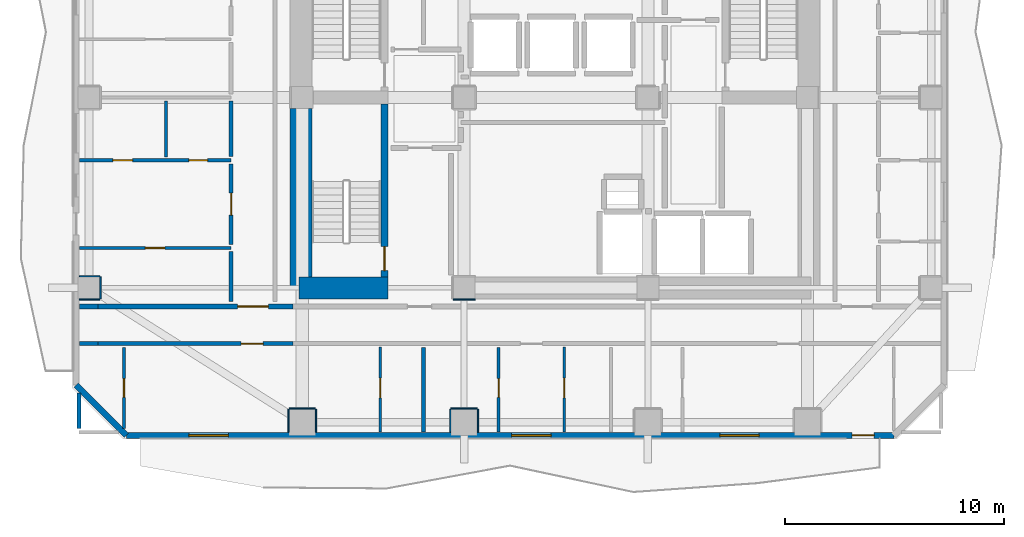
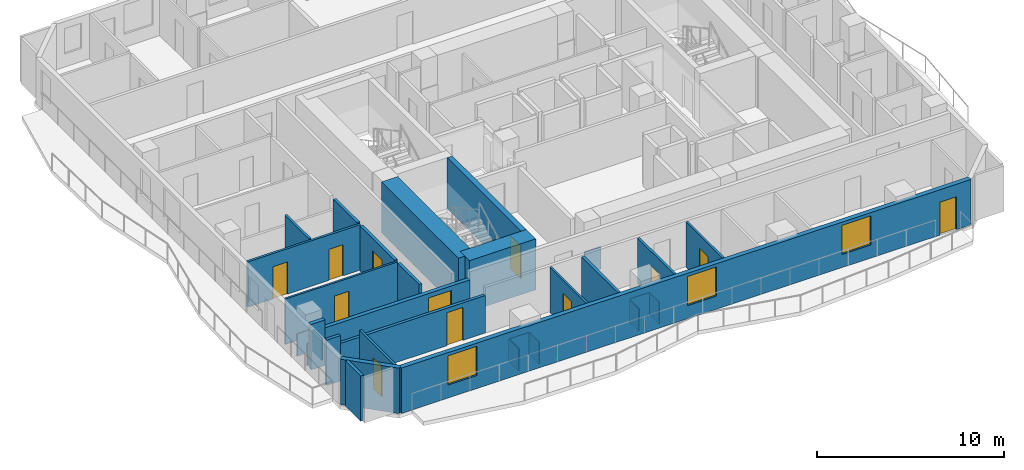
# One storey, part 2 of 11: 31 walls, 12 doors, 3 windows, 15 openings.
"""IFC4 building model written with IfcOpenShell, lengths in metres."""

from ifc_helpers import new_model, si_unit, direction, frame, frame_2d, origin, place, context, subcontext, project, spatial, rectangle, extrude, material, layer, layer_set, type_object, element, fill, save


model = new_model("IFC4")

# Units and contexts
model_context = context("Model", 3, precision=1e-05, world=origin(), true_north=direction((0.0, 1.0)))
body_context = subcontext(model_context, "Body", "Model", "MODEL_VIEW")
ifc_project = project(units=[si_unit("LENGTHUNIT", "METRE"), si_unit("AREAUNIT", "SQUARE_METRE"), si_unit("VOLUMEUNIT", "CUBIC_METRE"), si_unit("PLANEANGLEUNIT", "RADIAN"), si_unit("MASSUNIT", "GRAM", prefix="KILO")], contexts=[model_context])

# Site, building, storey
site_placement = place(None, origin())
site = spatial("IfcSite", under=ifc_project, at=site_placement, CompositionType="ELEMENT")
building_placement = place(site_placement, origin())
building = spatial("IfcBuilding", under=site, at=building_placement, Name="Solanera Arch Residences", CompositionType="ELEMENT")
storey_placement = place(building_placement, frame((0.0, 0.0, 169.159912109375)))
storey = spatial("IfcBuildingStorey", under=building, at=storey_placement, Name="L49", CompositionType="ELEMENT", Elevation=169.159912109375)

# Walls
ifc_material_1 = material(Name="Fire-Rated Gypsum Stud Partition", Category="gypsum")
ifc_layer_1 = layer(ifc_material_1, 0.06005859375)
ifc_layer_set_1 = layer_set([ifc_layer_1], Name="Fire-Rated Gypsum Stud Partition")
wall_type_1 = type_object("IfcWallType", Name="Column Acoustic Furring Wall 60", PredefinedType="PARTITIONING", material=ifc_layer_set_1)
wall_1_placement = place(storey_placement, frame((20.300048828125, 21.468017578125, 0.0), z_axis=(0.0, 0.0, 1.0), x_axis=(1.0, 0.0, 0.0)))
element("IfcWall", 1, at=wall_1_placement, inside=storey, type_object=wall_type_1, Name="L49 Column Furring 1S", PredefinedType="PARTITIONING", context=body_context, shape_type="SweptSolid", body=[
    extrude(rectangle(XDim=1.0, YDim=0.06005859375, at=frame_2d((0.5, 0.0))), origin(), (0.0, 0.0, 1.0), 1.4501953125),
])
wall_2_placement = place(storey_placement, frame((12.800048828125, 16.48193359375, 0.0), z_axis=(0.0, 0.0, 1.0), x_axis=(1.0, 0.0, 0.0)))
element("IfcWall", 2, at=wall_2_placement, inside=storey, type_object=wall_type_1, Name="L49 Column Furring 9N", PredefinedType="PARTITIONING", context=body_context, shape_type="SweptSolid", body=[
    extrude(rectangle(XDim=1.199951171875, YDim=0.06005859375, at=frame_2d((0.60009765625, 0.0))), origin(), (0.0, 0.0, 1.0), 1.4501953125),
])
for number, where, z_axis, x_axis, name in (
    (3, (12.76806640625, 15.409912109375, 0.0), (0.0, 0.0, 1.0), (0.0, 1.0, 0.0), "L49 Column Furring 9W"),
    (4, (14.031982421875, 15.409912109375, 0.0), (0.0, 0.0, 1.0), (0.0, 1.0, 0.0), "L49 Column Furring 9E"),
):
    element("IfcWall", number, at=place(storey_placement, frame(where, z_axis=z_axis, x_axis=x_axis)), inside=storey, type_object=wall_type_1, Name=name, PredefinedType="PARTITIONING", context=body_context, shape_type="SweptSolid", body=[
        extrude(rectangle(XDim=1.0400390625, YDim=0.06005859375, at=frame_2d((0.52001953125, 0.0))), origin(), (0.0, 0.0, 1.0), 1.4501953125),
    ])
wall_3_placement = place(storey_placement, frame((20.199951171875, 16.48193359375, 0.0), z_axis=(0.0, 0.0, 1.0), x_axis=(1.0, 0.0, 0.0)))
element("IfcWall", 5, at=wall_3_placement, inside=storey, type_object=wall_type_1, Name="L49 Column Furring 11N", PredefinedType="PARTITIONING", context=body_context, shape_type="SweptSolid", body=[
    extrude(rectangle(XDim=1.199951171875, YDim=0.06005859375, at=frame_2d((0.60009765625, 0.0))), origin(), (0.0, 0.0, 1.0), 1.4501953125),
])
for number, where, z_axis, x_axis, name in (
    (6, (20.16796875, 15.409912109375, 0.0), (0.0, 0.0, 1.0), (0.0, 1.0, 0.0), "L49 Column Furring 11W"),
    (7, (21.431884765625, 15.409912109375, 0.0), (0.0, 0.0, 1.0), (0.0, 1.0, 0.0), "L49 Column Furring 11E"),
):
    element("IfcWall", number, at=place(storey_placement, frame(where, z_axis=z_axis, x_axis=x_axis)), inside=storey, type_object=wall_type_1, Name=name, PredefinedType="PARTITIONING", context=body_context, shape_type="SweptSolid", body=[
        extrude(rectangle(XDim=1.0400390625, YDim=0.06005859375, at=frame_2d((0.52001953125, 0.0))), origin(), (0.0, 0.0, 1.0), 1.4501953125),
    ])
for number, where, z_axis, x_axis, name in (
    (8, (3.2099609375, 21.468017578125, 0.0), (0.0, 0.0, 1.0), (1.0, 0.0, 0.0), "L49 Column Furring 17S"),
    (9, (3.2099609375, 22.531982421875, 0.0), (0.0, 0.0, 1.0), (1.0, 0.0, 0.0), "L49 Column Furring 17N"),
):
    element("IfcWall", number, at=place(storey_placement, frame(where, z_axis=z_axis, x_axis=x_axis)), inside=storey, type_object=wall_type_1, Name=name, PredefinedType="PARTITIONING", context=body_context, shape_type="SweptSolid", body=[
        extrude(rectangle(XDim=0.93994140625, YDim=0.06005859375, at=frame_2d((0.469970703125, 0.0))), origin(), (0.0, 0.0, 1.0), 1.4501953125),
    ])
wall_4_placement = place(storey_placement, frame((4.181884765625, 21.5, 0.0), z_axis=(0.0, 0.0, 1.0), x_axis=(0.0, 1.0, 0.0)))
element("IfcWall", 10, at=wall_4_placement, inside=storey, type_object=wall_type_1, Name="L49 Column Furring 17E", PredefinedType="PARTITIONING", context=body_context, shape_type="SweptSolid", body=[
    extrude(rectangle(XDim=1.0, YDim=0.06005859375, at=frame_2d((0.5, 0.0))), origin(), (0.0, 0.0, 1.0), 1.4501953125),
])
ifc_material_2 = material(Name="Concrete C55/67 (f'c = 60 MPa)", Category="concrete")
ifc_layer_2 = layer(ifc_material_2, 1.0)
ifc_layer_set_2 = layer_set([ifc_layer_2], Name="Concrete C55/67 (f'c = 60 MPa)")
wall_type_2 = type_object("IfcWallType", Name="Core Shear Wall CW-1000", PredefinedType="SHEAR", material=ifc_layer_set_2)
wall_5_placement = place(storey_placement, frame((13.340087890625, 22.0, 0.0), z_axis=(0.0, 0.0, 1.0), x_axis=(0.0, 1.0, 0.0)))
element("IfcWall", 11, at=wall_5_placement, inside=storey, type_object=wall_type_2, Name="L49 West Core South Shear Wall", PredefinedType="SHEAR", context=body_context, shape_type="SweptSolid", body=[
    extrude(rectangle(XDim=8.195068359375, YDim=1.0, at=frame_2d((4.09765625, 0.0))), origin(), (0.0, 0.0, 1.0), 3.320068359375),
])
wall_6_placement = place(storey_placement, frame((13.239990234375, 22.0, 0.0), z_axis=(0.0, 0.0, 1.0), x_axis=(1.0, 0.0, 0.0)))
element("IfcWall", 12, at=wall_6_placement, inside=storey, type_object=wall_type_2, Name="L49 South-West Core Shear Wall", PredefinedType="SHEAR", context=body_context, shape_type="SweptSolid", body=[
    extrude(rectangle(XDim=4.080078125, YDim=1.0, at=frame_2d((2.0400390625, 0.0))), origin(), (0.0, 0.0, 1.0), 3.320068359375),
])

# Wall, opening, door
ifc_material_3 = material(Name="Concrete C40/50 (f'c = 45 MPa)", Category="concrete")
ifc_layer_3 = layer(ifc_material_3, 0.320068359375)
ifc_layer_set_3 = layer_set([ifc_layer_3], Name="Concrete C40/50 (f'c = 45 MPa)")
wall_type_3 = type_object("IfcWallType", Name="Core Shear Wall CW-320", PredefinedType="SHEAR", material=ifc_layer_set_3)
wall_7_placement = place(storey_placement, frame((17.159912109375, 22.5, 0.0), z_axis=(0.0, 0.0, 1.0), x_axis=(0.0, 1.0, 0.0)))
wall_7 = element("IfcWall", 13, at=wall_7_placement, inside=storey, type_object=wall_type_3, Name="L49 Stair ST-T3 East Shear Wall", PredefinedType="SHEAR", context=body_context, shape_type="SweptSolid", body=[
    extrude(rectangle(XDim=7.89990234375, YDim=0.320068359375, at=frame_2d((3.949951171875, 0.0))), origin(), (0.0, 0.0, 1.0), 3.320068359375),
])
opening_1_placement = place(wall_7_placement, frame((0.2900390625, 0.0, 0.0)))
opening_1 = element("IfcOpeningElement", 14, at=opening_1_placement, cuts=wall_7, Name="Opening DF-01", PredefinedType="OPENING", context=body_context, shape_type="SweptSolid", body=[
    extrude(rectangle(XDim=1.10009765625, YDim=2.14990234375, at=frame_2d((0.550048828125, 1.074951171875))), frame((0.0, 0.169921875, 0.0), z_axis=(0.0, -1.0, 0.0), x_axis=(1.0, 0.0, 0.0)), (0.0, 0.0, 1.0), 0.3401),
])
ifc_material_4 = material(Name="Fire-Rated Architectural Hardwood", Category="wood")
door_type_1 = type_object("IfcDoorType", Name="Stair Exit Fire Door DF-01", OperationType="NOTDEFINED", PredefinedType="DOOR", material=ifc_material_4)
door_1_placement = place(opening_1_placement, origin())
door_1 = element("IfcDoor", 15, at=door_1_placement, inside=storey, type_object=door_type_1, Name="DR-L49-STAIR-ST-T3", OperationType="SINGLE_SWING_LEFT", OverallHeight=2.14990234375, OverallWidth=1.10009765625, PredefinedType="DOOR", context=body_context, shape_type="SweptSolid", body=[
    extrude(rectangle(XDim=1.10009765625, YDim=2.14990234375, at=frame_2d((0.550048828125, 1.074951171875))), frame((0.0, 0.02490234375, 0.0), z_axis=(0.0, -1.0, 0.0), x_axis=(1.0, 0.0, 0.0)), (0.0, 0.0, 1.0), 0.050048828125),
])
fill(opening_1, door_1)

# Wall
ifc_material_5 = material(Name="Autoclaved Aerated Concrete Blockwork", Category="masonry")
ifc_layer_4 = layer(ifc_material_5, 0.179931640625)
ifc_layer_set_4 = layer_set([ifc_layer_4], Name="Autoclaved Aerated Concrete Blockwork")
wall_type_4 = type_object("IfcWallType", Name="Corridor Fire Partition 180", PredefinedType="PARTITIONING", material=ifc_layer_set_4)
wall_8_placement = place(storey_placement, frame((3.20703125, 19.449951171875, 0.0), z_axis=(0.0, 0.0, 1.0), x_axis=(1.0, 0.0, 0.0)))
element("IfcWall", 16, at=wall_8_placement, inside=storey, type_object=wall_type_4, Name="L49 Interior Partition H6 1", PredefinedType="PARTITIONING", context=body_context, shape_type="SweptSolid", body=[
    extrude(rectangle(XDim=0.85986328125, YDim=0.179931640625, at=frame_2d((0.429931640625, 0.0))), origin(), (0.0, 0.0, 1.0), 2.960205078125),
])

# Wall, opening, door
wall_9_placement = place(storey_placement, frame((4.06689453125, 19.449951171875, 0.0), z_axis=(0.0, 0.0, 1.0), x_axis=(1.0, 0.0, 0.0)))
wall_9 = element("IfcWall", 17, at=wall_9_placement, inside=storey, type_object=wall_type_4, Name="L49 Interior Partition H6 2", PredefinedType="PARTITIONING", context=body_context, shape_type="SweptSolid", body=[
    extrude(rectangle(XDim=8.916015625, YDim=0.179931640625, at=frame_2d((4.4580078125, 0.0))), origin(), (0.0, 0.0, 1.0), 2.445068359375),
])
opening_2_placement = place(wall_9_placement, frame((6.54296875, 0.0, 0.0)))
opening_2 = element("IfcOpeningElement", 18, at=opening_2_placement, cuts=wall_9, Name="Opening DI-01", PredefinedType="OPENING", context=body_context, shape_type="SweptSolid", body=[
    extrude(rectangle(XDim=1.0, YDim=2.14990234375, at=frame_2d((0.5, 1.074951171875))), frame((0.0, 0.10009765625, 0.0), z_axis=(0.0, -1.0, 0.0), x_axis=(1.0, 0.0, 0.0)), (0.0, 0.0, 1.0), 0.1999),
])
ifc_material_6 = material(Name="Fire-Rated Architectural Hardwood", Category="wood")
door_type_2 = type_object("IfcDoorType", Name="Unit Entrance Fire Door DI-01", OperationType="NOTDEFINED", PredefinedType="DOOR", material=ifc_material_6)
door_2_placement = place(opening_2_placement, origin())
door_2 = element("IfcDoor", 19, at=door_2_placement, inside=storey, type_object=door_type_2, Name="DR-L49-IN-016", OperationType="SINGLE_SWING_RIGHT", OverallHeight=2.14990234375, OverallWidth=1.0, PredefinedType="DOOR", context=body_context, shape_type="SweptSolid", body=[
    extrude(rectangle(XDim=1.0, YDim=2.14990234375, at=frame_2d((0.5, 1.074951171875))), frame((0.0, 0.02490234375, 0.0), z_axis=(0.0, -1.0, 0.0), x_axis=(1.0, 0.0, 0.0)), (0.0, 0.0, 1.0), 0.050048828125),
])
fill(opening_2, door_2)

# Walls
wall_10_placement = place(storey_placement, frame((3.199951171875, 15.568115234375, 0.0), z_axis=(0.0, 0.0, 1.0), x_axis=(0.0, 1.0, 0.0)))
element("IfcWall", 20, at=wall_10_placement, inside=storey, type_object=wall_type_4, Name="L49 Interior Partition V7 1", PredefinedType="PARTITIONING", context=body_context, shape_type="SweptSolid", body=[
    extrude(rectangle(XDim=1.626953125, YDim=0.179931640625, at=frame_2d((0.8134765625, 0.0))), origin(), (0.0, 0.0, 1.0), 2.960205078125),
])
wall_11_placement = place(storey_placement, frame((10.14990234375, 21.367919921875, 0.0), z_axis=(0.0, 0.0, 1.0), x_axis=(0.0, 1.0, 0.0)))
element("IfcWall", 21, at=wall_11_placement, inside=storey, type_object=wall_type_4, Name="L49 Interior Partition V8 1", PredefinedType="PARTITIONING", context=body_context, shape_type="SweptSolid", body=[
    extrude(rectangle(XDim=2.298095703125, YDim=0.179931640625, at=frame_2d((1.14892578125, 0.0))), origin(), (0.0, 0.0, 1.0), 2.960205078125),
])

# Wall, opening, door
wall_12_placement = place(storey_placement, frame((10.14990234375, 23.98193359375, 0.0), z_axis=(0.0, 0.0, 1.0), x_axis=(0.0, 1.0, 0.0)))
wall_12 = element("IfcWall", 22, at=wall_12_placement, inside=storey, type_object=wall_type_4, Name="L49 Interior Partition V8 2", PredefinedType="PARTITIONING", context=body_context, shape_type="SweptSolid", body=[
    extrude(rectangle(XDim=3.68505859375, YDim=0.179931640625, at=frame_2d((1.842529296875, 0.0))), origin(), (0.0, 0.0, 1.0), 2.960205078125),
])
opening_3_placement = place(wall_12_placement, frame((1.347900390625, 0.0, 0.0)))
opening_3 = element("IfcOpeningElement", 23, at=opening_3_placement, cuts=wall_12, Name="Opening DI-01", PredefinedType="OPENING", context=body_context, shape_type="SweptSolid", body=[
    extrude(rectangle(XDim=1.0, YDim=2.14990234375, at=frame_2d((0.5, 1.074951171875))), frame((0.0, 0.10009765625, 0.0), z_axis=(0.0, -1.0, 0.0), x_axis=(1.0, 0.0, 0.0)), (0.0, 0.0, 1.0), 0.1999),
])
door_3_placement = place(opening_3_placement, origin())
door_3 = element("IfcDoor", 24, at=door_3_placement, inside=storey, type_object=door_type_2, Name="DR-L49-IN-034", OperationType="SINGLE_SWING_RIGHT", OverallHeight=2.14990234375, OverallWidth=1.0, PredefinedType="DOOR", context=body_context, shape_type="SweptSolid", body=[
    extrude(rectangle(XDim=1.0, YDim=2.14990234375, at=frame_2d((0.5, 1.074951171875))), frame((0.0, 0.02490234375, 0.0), z_axis=(0.0, -1.0, 0.0), x_axis=(1.0, 0.0, 0.0)), (0.0, 0.0, 1.0), 0.050048828125),
])
fill(opening_3, door_3)

# Walls
wall_13_placement = place(storey_placement, frame((10.14990234375, 28.0029296875, 0.0), z_axis=(0.0, 0.0, 1.0), x_axis=(0.0, 1.0, 0.0)))
element("IfcWall", 25, at=wall_13_placement, inside=storey, type_object=wall_type_4, Name="L49 Interior Partition V8 3", PredefinedType="PARTITIONING", context=body_context, shape_type="SweptSolid", body=[
    extrude(rectangle(XDim=2.529052734375, YDim=0.179931640625, at=frame_2d((1.2646484375, 0.0))), origin(), (0.0, 0.0, 1.0), 2.960205078125),
])
wall_14_placement = place(storey_placement, frame((18.949951171875, 15.406982421875, 0.0), z_axis=(0.0, 0.0, 1.0), x_axis=(0.0, 1.0, 0.0)))
element("IfcWall", 26, at=wall_14_placement, inside=storey, type_object=wall_type_4, Name="L49 Interior Partition V10", PredefinedType="PARTITIONING", context=body_context, shape_type="SweptSolid", body=[
    extrude(rectangle(XDim=3.85498046875, YDim=0.179931640625, at=frame_2d((1.927490234375, 0.0))), origin(), (0.0, 0.0, 1.0), 2.960205078125),
])

# Wall, openings, door, windows
ifc_material_7 = material(Name="Precast Concrete C35/45", Category="concrete")
ifc_layer_5 = layer(ifc_material_7, 0.280029296875)
ifc_layer_set_5 = layer_set([ifc_layer_5], Name="Precast Concrete C35/45")
wall_type_5 = type_object("IfcWallType", Name="Exterior Wall Precast Masonry-Frame 280", PredefinedType="STANDARD", material=ifc_layer_set_5)
wall_15_placement = place(storey_placement, frame((40.445068359375, 15.2548828125, 0.0), z_axis=(0.0, 0.0, 1.0), x_axis=(-1.0, 0.0, 0.0)))
wall_15 = element("IfcWall", 27, at=wall_15_placement, inside=storey, type_object=wall_type_5, Name="L49 Tower Exterior Precast Masonry-Frame Wall S", PredefinedType="STANDARD", context=body_context, shape_type="SweptSolid", body=[
    extrude(rectangle(XDim=35.090087890625, YDim=0.280029296875, at=frame_2d((17.544921875, 0.0))), origin(), (0.0, 0.0, 1.0), 2.960205078125),
])
opening_4_placement = place(wall_15_placement, frame((0.904052734375, 0.0, 0.0)))
opening_4 = element("IfcOpeningElement", 28, at=opening_4_placement, cuts=wall_15, Name="Opening DB-01", PredefinedType="OPENING", context=body_context, shape_type="SweptSolid", body=[
    extrude(rectangle(XDim=1.0, YDim=2.14990234375, at=frame_2d((0.5, 1.074951171875))), frame((0.0, 0.14990234375, 0.0), z_axis=(0.0, -1.0, 0.0), x_axis=(1.0, 0.0, 0.0)), (0.0, 0.0, 1.0), 0.3),
])
opening_5_placement = place(wall_15_placement, frame((30.423095703125, 0.0, 0.85009765625)))
opening_5 = element("IfcOpeningElement", 29, at=opening_5_placement, cuts=wall_15, Name="Opening W-03", PredefinedType="OPENING", context=body_context, shape_type="SweptSolid", body=[
    extrude(rectangle(XDim=1.800048828125, YDim=1.89990234375, at=frame_2d((0.89990234375, 0.949951171875))), frame((0.0, 0.14990234375, 0.0), z_axis=(0.0, -1.0, 0.0), x_axis=(1.0, 0.0, 0.0)), (0.0, 0.0, 1.0), 0.3),
])
opening_6_placement = place(wall_15_placement, frame((15.669921875, 0.0, 0.85009765625)))
opening_6 = element("IfcOpeningElement", 30, at=opening_6_placement, cuts=wall_15, Name="Opening W-03", PredefinedType="OPENING", context=body_context, shape_type="SweptSolid", body=[
    extrude(rectangle(XDim=1.800048828125, YDim=1.89990234375, at=frame_2d((0.89990234375, 0.949951171875))), frame((0.0, 0.14990234375, 0.0), z_axis=(0.0, -1.0, 0.0), x_axis=(1.0, 0.0, 0.0)), (0.0, 0.0, 1.0), 0.3),
])
opening_7_placement = place(wall_15_placement, frame((6.155029296875, 0.0, 0.85009765625)))
opening_7 = element("IfcOpeningElement", 31, at=opening_7_placement, cuts=wall_15, Name="Opening W-03", PredefinedType="OPENING", context=body_context, shape_type="SweptSolid", body=[
    extrude(rectangle(XDim=1.800048828125, YDim=1.89990234375, at=frame_2d((0.89990234375, 0.949951171875))), frame((0.0, 0.14990234375, 0.0), z_axis=(0.0, -1.0, 0.0), x_axis=(1.0, 0.0, 0.0)), (0.0, 0.0, 1.0), 0.3),
])
ifc_material_8 = material(Name="Anodised Aluminium Alloy 6063-T6", Category="aluminium")
door_type_3 = type_object("IfcDoorType", Name="Glazed Balcony Swing Door DB-01", OperationType="NOTDEFINED", PredefinedType="DOOR", material=ifc_material_8)
door_4_placement = place(opening_4_placement, origin())
door_4 = element("IfcDoor", 32, at=door_4_placement, inside=storey, type_object=door_type_3, Name="DR-L49-OUT-01", OperationType="SINGLE_SWING_LEFT", OverallHeight=2.14990234375, OverallWidth=1.0, PredefinedType="DOOR", context=body_context, shape_type="SweptSolid", body=[
    extrude(rectangle(XDim=1.0, YDim=2.14990234375, at=frame_2d((0.5, 1.074951171875))), frame((0.0, 0.02490234375, 0.0), z_axis=(0.0, -1.0, 0.0), x_axis=(1.0, 0.0, 0.0)), (0.0, 0.0, 1.0), 0.050048828125),
])
fill(opening_4, door_4)
ifc_material_9 = material(Name="Double Glazed Low-E Laminated Glass", Category="glass")
window_type = type_object("IfcWindowType", Name="Punched Window W-03", PartitioningType="DOUBLE_PANEL_VERTICAL", PredefinedType="WINDOW", material=ifc_material_9)
window_1_placement = place(opening_5_placement, origin())
window_1 = element("IfcWindow", 33, at=window_1_placement, inside=storey, type_object=window_type, Name="L49 4901-LIV Punched Window", OverallHeight=1.89990234375, OverallWidth=1.800048828125, PartitioningType="SINGLE_PANEL", PredefinedType="WINDOW", context=body_context, shape_type="SweptSolid", body=[
    extrude(rectangle(XDim=1.800048828125, YDim=1.89990234375, at=frame_2d((0.89990234375, 0.949951171875))), frame((0.0, 0.030029296875, 0.0), z_axis=(0.0, -1.0, 0.0), x_axis=(1.0, 0.0, 0.0)), (0.0, 0.0, 1.0), 0.06005859375),
])
fill(opening_5, window_1)
window_2_placement = place(opening_6_placement, origin())
window_2 = element("IfcWindow", 34, at=window_2_placement, inside=storey, type_object=window_type, Name="L49 4902-LIV Punched Window", OverallHeight=1.89990234375, OverallWidth=1.800048828125, PartitioningType="SINGLE_PANEL", PredefinedType="WINDOW", context=body_context, shape_type="SweptSolid", body=[
    extrude(rectangle(XDim=1.800048828125, YDim=1.89990234375, at=frame_2d((0.89990234375, 0.949951171875))), frame((0.0, 0.030029296875, 0.0), z_axis=(0.0, -1.0, 0.0), x_axis=(1.0, 0.0, 0.0)), (0.0, 0.0, 1.0), 0.06005859375),
])
fill(opening_6, window_2)
window_3_placement = place(opening_7_placement, origin())
window_3 = element("IfcWindow", 35, at=window_3_placement, inside=storey, type_object=window_type, Name="L49 4903-LIV Punched Window", OverallHeight=1.89990234375, OverallWidth=1.800048828125, PartitioningType="SINGLE_PANEL", PredefinedType="WINDOW", context=body_context, shape_type="SweptSolid", body=[
    extrude(rectangle(XDim=1.800048828125, YDim=1.89990234375, at=frame_2d((0.89990234375, 0.949951171875))), frame((0.0, 0.030029296875, 0.0), z_axis=(0.0, -1.0, 0.0), x_axis=(1.0, 0.0, 0.0)), (0.0, 0.0, 1.0), 0.06005859375),
])
fill(opening_7, window_3)

# Walls
wall_16_placement = place(storey_placement, frame((5.35498046875, 15.2548828125, 0.0), z_axis=(0.0, 0.0, 1.0), x_axis=(-0.707106781187, 0.707106781187, 0.0)))
element("IfcWall", 36, at=wall_16_placement, inside=storey, type_object=wall_type_5, Name="L49 Tower Exterior Precast Masonry-Frame Wall CH7", PredefinedType="STANDARD", context=body_context, shape_type="SweptSolid", body=[
    extrude(rectangle(XDim=3.252685546875, YDim=0.280029296875, at=frame_2d((1.62646484375, 0.0))), origin(), (0.0, 0.0, 1.0), 2.960205078125),
])
ifc_material_10 = material(Name="Autoclaved Aerated Concrete Blockwork", Category="masonry")
ifc_layer_6 = layer(ifc_material_10, 0.239990234375)
ifc_layer_set_6 = layer_set([ifc_layer_6], Name="Autoclaved Aerated Concrete Blockwork")
wall_type_6 = type_object("IfcWallType", Name="Shaft Wall Fire-Rated 240", PredefinedType="PARTITIONING", material=ifc_layer_set_6)
wall_17_placement = place(storey_placement, frame((3.20703125, 21.14990234375, 0.0), z_axis=(0.0, 0.0, 1.0), x_axis=(1.0, 0.0, 0.0)))
element("IfcWall", 37, at=wall_17_placement, inside=storey, type_object=wall_type_6, Name="L49 Interior Partition H1 1", PredefinedType="PARTITIONING", context=body_context, shape_type="SweptSolid", body=[
    extrude(rectangle(XDim=0.85986328125, YDim=0.239990234375, at=frame_2d((0.429931640625, 0.0))), origin(), (0.0, 0.0, 1.0), 2.960205078125),
])

# Wall, opening, door
wall_18_placement = place(storey_placement, frame((4.06689453125, 21.14990234375, 0.0), z_axis=(0.0, 0.0, 1.0), x_axis=(1.0, 0.0, 0.0)))
wall_18 = element("IfcWall", 38, at=wall_18_placement, inside=storey, type_object=wall_type_6, Name="L49 Interior Partition H1 2", PredefinedType="PARTITIONING", context=body_context, shape_type="SweptSolid", body=[
    extrude(rectangle(XDim=8.916015625, YDim=0.239990234375, at=frame_2d((4.4580078125, 0.0))), origin(), (0.0, 0.0, 1.0), 2.445068359375),
])
opening_8_placement = place(wall_18_placement, frame((6.383056640625, 0.0, 0.0)))
opening_8 = element("IfcOpeningElement", 39, at=opening_8_placement, cuts=wall_18, Name="Opening DF-03", PredefinedType="OPENING", context=body_context, shape_type="SweptSolid", body=[
    extrude(rectangle(XDim=1.39990234375, YDim=2.14990234375, at=frame_2d((0.699951171875, 1.074951171875))), frame((0.0, 0.1298828125, 0.0), z_axis=(0.0, -1.0, 0.0), x_axis=(1.0, 0.0, 0.0)), (0.0, 0.0, 1.0), 0.26),
])
ifc_material_11 = material(Name="Fire-Rated Architectural Hardwood", Category="wood")
door_type_4 = type_object("IfcDoorType", Name="Corridor Smoke Door DF-03", OperationType="NOTDEFINED", PredefinedType="DOOR", material=ifc_material_11)
door_5_placement = place(opening_8_placement, origin())
door_5 = element("IfcDoor", 40, at=door_5_placement, inside=storey, type_object=door_type_4, Name="DR-L49-IN-010", OperationType="SINGLE_SWING_RIGHT", OverallHeight=2.14990234375, OverallWidth=1.39990234375, PredefinedType="DOOR", context=body_context, shape_type="SweptSolid", body=[
    extrude(rectangle(XDim=1.39990234375, YDim=2.14990234375, at=frame_2d((0.699951171875, 1.074951171875))), frame((0.0, 0.02490234375, 0.0), z_axis=(0.0, -1.0, 0.0), x_axis=(1.0, 0.0, 0.0)), (0.0, 0.0, 1.0), 0.050048828125),
])
fill(opening_8, door_5)

ifc_material_12 = material(Name="Fire-Rated Gypsum Stud Partition", Category="gypsum")
ifc_layer_7 = layer(ifc_material_12, 0.1201171875)
ifc_layer_set_7 = layer_set([ifc_layer_7], Name="Fire-Rated Gypsum Stud Partition")
wall_type_7 = type_object("IfcWallType", Name="Unit Drywall Partition 120", PredefinedType="PARTITIONING", material=ifc_layer_set_7)
wall_19_placement = place(storey_placement, frame((3.20703125, 23.823974609375, 0.0), z_axis=(0.0, 0.0, 1.0), x_axis=(1.0, 0.0, 0.0)))
wall_19 = element("IfcWall", 41, at=wall_19_placement, inside=storey, type_object=wall_type_7, Name="L49 Interior Partition H25", PredefinedType="PARTITIONING", context=body_context, shape_type="SweptSolid", body=[
    extrude(rectangle(XDim=6.94287109375, YDim=0.1201171875, at=frame_2d((3.471435546875, 0.0))), origin(), (0.0, 0.0, 1.0), 2.960205078125),
])
opening_9_placement = place(wall_19_placement, frame((3.01806640625, 0.0, 0.0)))
opening_9 = element("IfcOpeningElement", 42, at=opening_9_placement, cuts=wall_19, Name="Opening DI-02", PredefinedType="OPENING", context=body_context, shape_type="SweptSolid", body=[
    extrude(rectangle(XDim=0.89990234375, YDim=2.10009765625, at=frame_2d((0.449951171875, 1.050048828125))), frame((0.0, 0.070068359375, 0.0), z_axis=(0.0, -1.0, 0.0), x_axis=(1.0, 0.0, 0.0)), (0.0, 0.0, 1.0), 0.1401),
])
ifc_material_13 = material(Name="Fire-Rated Architectural Hardwood", Category="wood")
door_type_5 = type_object("IfcDoorType", Name="Suite Room Swing Door DI-02", OperationType="NOTDEFINED", PredefinedType="DOOR", material=ifc_material_13)
door_6_placement = place(opening_9_placement, origin())
door_6 = element("IfcDoor", 43, at=door_6_placement, inside=storey, type_object=door_type_5, Name="DR-L49-IN-035", OperationType="SINGLE_SWING_LEFT", OverallHeight=2.10009765625, OverallWidth=0.89990234375, PredefinedType="DOOR", context=body_context, shape_type="SweptSolid", body=[
    extrude(rectangle(XDim=0.89990234375, YDim=2.10009765625, at=frame_2d((0.449951171875, 1.050048828125))), frame((0.0, 0.02490234375, 0.0), z_axis=(0.0, -1.0, 0.0), x_axis=(1.0, 0.0, 0.0)), (0.0, 0.0, 1.0), 0.050048828125),
])
fill(opening_9, door_6)

wall_20_placement = place(storey_placement, frame((16.969970703125, 15.406982421875, 0.0), z_axis=(0.0, 0.0, 1.0), x_axis=(0.0, 1.0, 0.0)))
wall_20 = element("IfcWall", 44, at=wall_20_placement, inside=storey, type_object=wall_type_7, Name="L49 Interior Partition V26", PredefinedType="PARTITIONING", context=body_context, shape_type="SweptSolid", body=[
    extrude(rectangle(XDim=3.885009765625, YDim=0.1201171875, at=frame_2d((1.9423828125, 0.0))), origin(), (0.0, 0.0, 1.0), 2.960205078125),
])
opening_10_placement = place(wall_20_placement, frame((1.568115234375, 0.0, 0.0)))
opening_10 = element("IfcOpeningElement", 45, at=opening_10_placement, cuts=wall_20, Name="Opening DI-02", PredefinedType="OPENING", context=body_context, shape_type="SweptSolid", body=[
    extrude(rectangle(XDim=0.89990234375, YDim=2.10009765625, at=frame_2d((0.449951171875, 1.050048828125))), frame((0.0, 0.070068359375, 0.0), z_axis=(0.0, -1.0, 0.0), x_axis=(1.0, 0.0, 0.0)), (0.0, 0.0, 1.0), 0.1401),
])
door_7_placement = place(opening_10_placement, origin())
door_7 = element("IfcDoor", 46, at=door_7_placement, inside=storey, type_object=door_type_5, Name="DR-L49-IN-018", OperationType="SINGLE_SWING_RIGHT", OverallHeight=2.10009765625, OverallWidth=0.89990234375, PredefinedType="DOOR", context=body_context, shape_type="SweptSolid", body=[
    extrude(rectangle(XDim=0.89990234375, YDim=2.10009765625, at=frame_2d((0.449951171875, 1.050048828125))), frame((0.0, 0.02490234375, 0.0), z_axis=(0.0, -1.0, 0.0), x_axis=(1.0, 0.0, 0.0)), (0.0, 0.0, 1.0), 0.050048828125),
])
fill(opening_10, door_7)

wall_21_placement = place(storey_placement, frame((25.3701171875, 15.406982421875, 0.0), z_axis=(0.0, 0.0, 1.0), x_axis=(0.0, 1.0, 0.0)))
wall_21 = element("IfcWall", 47, at=wall_21_placement, inside=storey, type_object=wall_type_7, Name="L49 Interior Partition V28", PredefinedType="PARTITIONING", context=body_context, shape_type="SweptSolid", body=[
    extrude(rectangle(XDim=3.885009765625, YDim=0.1201171875, at=frame_2d((1.9423828125, 0.0))), origin(), (0.0, 0.0, 1.0), 2.960205078125),
])
opening_11_placement = place(wall_21_placement, frame((1.568115234375, 0.0, 0.0)))
opening_11 = element("IfcOpeningElement", 48, at=opening_11_placement, cuts=wall_21, Name="Opening DI-02", PredefinedType="OPENING", context=body_context, shape_type="SweptSolid", body=[
    extrude(rectangle(XDim=0.89990234375, YDim=2.10009765625, at=frame_2d((0.449951171875, 1.050048828125))), frame((0.0, 0.070068359375, 0.0), z_axis=(0.0, -1.0, 0.0), x_axis=(1.0, 0.0, 0.0)), (0.0, 0.0, 1.0), 0.1401),
])
door_8_placement = place(opening_11_placement, origin())
door_8 = element("IfcDoor", 49, at=door_8_placement, inside=storey, type_object=door_type_5, Name="DR-L49-IN-021", OperationType="SINGLE_SWING_LEFT", OverallHeight=2.10009765625, OverallWidth=0.89990234375, PredefinedType="DOOR", context=body_context, shape_type="SweptSolid", body=[
    extrude(rectangle(XDim=0.89990234375, YDim=2.10009765625, at=frame_2d((0.449951171875, 1.050048828125))), frame((0.0, 0.02490234375, 0.0), z_axis=(0.0, -1.0, 0.0), x_axis=(1.0, 0.0, 0.0)), (0.0, 0.0, 1.0), 0.050048828125),
])
fill(opening_11, door_8)

# Wall, openings, doors
ifc_material_14 = material(Name="Autoclaved Aerated Concrete Blockwork", Category="masonry")
ifc_layer_8 = layer(ifc_material_14, 0.139892578125)
ifc_layer_set_8 = layer_set([ifc_layer_8], Name="Autoclaved Aerated Concrete Blockwork")
wall_type_8 = type_object("IfcWallType", Name="Wet-Room Partition 140", PredefinedType="PARTITIONING", material=ifc_layer_set_8)
wall_22_placement = place(storey_placement, frame((3.20703125, 27.8349609375, 0.0), z_axis=(0.0, 0.0, 1.0), x_axis=(1.0, 0.0, 0.0)))
wall_22 = element("IfcWall", 50, at=wall_22_placement, inside=storey, type_object=wall_type_8, Name="L49 Interior Partition H14", PredefinedType="PARTITIONING", context=body_context, shape_type="SweptSolid", body=[
    extrude(rectangle(XDim=6.94287109375, YDim=0.139892578125, at=frame_2d((3.471435546875, 0.0))), origin(), (0.0, 0.0, 1.0), 2.960205078125),
])
opening_12_placement = place(wall_22_placement, frame((5.006103515625, 0.0, 0.0)))
opening_12 = element("IfcOpeningElement", 51, at=opening_12_placement, cuts=wall_22, Name="Opening DI-05", PredefinedType="OPENING", context=body_context, shape_type="SweptSolid", body=[
    extrude(rectangle(XDim=0.860107421875, YDim=2.02001953125, at=frame_2d((0.43017578125, 1.010009765625))), frame((0.0, 0.079833984375, 0.0), z_axis=(0.0, -1.0, 0.0), x_axis=(1.0, 0.0, 0.0)), (0.0, 0.0, 1.0), 0.1599),
])
opening_13_placement = place(wall_22_placement, frame((1.537109375, 0.0, 0.0)))
opening_13 = element("IfcOpeningElement", 52, at=opening_13_placement, cuts=wall_22, Name="Opening DI-03", PredefinedType="OPENING", context=body_context, shape_type="SweptSolid", body=[
    extrude(rectangle(XDim=0.89990234375, YDim=2.10009765625, at=frame_2d((0.449951171875, 1.050048828125))), frame((0.0, 0.079833984375, 0.0), z_axis=(0.0, -1.0, 0.0), x_axis=(1.0, 0.0, 0.0)), (0.0, 0.0, 1.0), 0.1599),
])
ifc_material_15 = material(Name="Fire-Rated Architectural Hardwood", Category="wood")
door_type_6 = type_object("IfcDoorType", Name="Bathroom Swing Door DI-05", OperationType="NOTDEFINED", PredefinedType="DOOR", material=ifc_material_15)
door_9_placement = place(opening_12_placement, origin())
door_9 = element("IfcDoor", 53, at=door_9_placement, inside=storey, type_object=door_type_6, Name="DR-L49-IN-036", OperationType="SINGLE_SWING_RIGHT", OverallHeight=2.02001953125, OverallWidth=0.860107421875, PredefinedType="DOOR", context=body_context, shape_type="SweptSolid", body=[
    extrude(rectangle(XDim=0.860107421875, YDim=2.02001953125, at=frame_2d((0.43017578125, 1.010009765625))), frame((0.0, 0.02490234375, 0.0), z_axis=(0.0, -1.0, 0.0), x_axis=(1.0, 0.0, 0.0)), (0.0, 0.0, 1.0), 0.050048828125),
])
fill(opening_12, door_9)
ifc_material_16 = material(Name="Fire-Rated Architectural Hardwood", Category="wood")
door_type_7 = type_object("IfcDoorType", Name="Bedroom Swing Door DI-03", OperationType="NOTDEFINED", PredefinedType="DOOR", material=ifc_material_16)
door_10_placement = place(opening_13_placement, origin())
door_10 = element("IfcDoor", 54, at=door_10_placement, inside=storey, type_object=door_type_7, Name="DR-L49-IN-037", OperationType="SINGLE_SWING_LEFT", OverallHeight=2.10009765625, OverallWidth=0.89990234375, PredefinedType="DOOR", context=body_context, shape_type="SweptSolid", body=[
    extrude(rectangle(XDim=0.89990234375, YDim=2.10009765625, at=frame_2d((0.449951171875, 1.050048828125))), frame((0.0, 0.02490234375, 0.0), z_axis=(0.0, -1.0, 0.0), x_axis=(1.0, 0.0, 0.0)), (0.0, 0.0, 1.0), 0.050048828125),
])
fill(opening_13, door_10)

# Wall, opening, door
wall_23_placement = place(storey_placement, frame((5.25, 15.574951171875, 0.0), z_axis=(0.0, 0.0, 1.0), x_axis=(0.0, 1.0, 0.0)))
wall_23 = element("IfcWall", 55, at=wall_23_placement, inside=storey, type_object=wall_type_8, Name="L49 Interior Partition V16", PredefinedType="PARTITIONING", context=body_context, shape_type="SweptSolid", body=[
    extrude(rectangle(XDim=3.70703125, YDim=0.139892578125, at=frame_2d((1.853515625, 0.0))), origin(), (0.0, 0.0, 1.0), 2.960205078125),
])
opening_14_placement = place(wall_23_placement, frame((1.419921875, 0.0, 0.0)))
opening_14 = element("IfcOpeningElement", 56, at=opening_14_placement, cuts=wall_23, Name="Opening DI-05", PredefinedType="OPENING", context=body_context, shape_type="SweptSolid", body=[
    extrude(rectangle(XDim=0.860107421875, YDim=2.02001953125, at=frame_2d((0.43017578125, 1.010009765625))), frame((0.0, 0.079833984375, 0.0), z_axis=(0.0, -1.0, 0.0), x_axis=(1.0, 0.0, 0.0)), (0.0, 0.0, 1.0), 0.1599),
])
door_11_placement = place(opening_14_placement, origin())
door_11 = element("IfcDoor", 57, at=door_11_placement, inside=storey, type_object=door_type_6, Name="DR-L49-IN-017", OperationType="SINGLE_SWING_LEFT", OverallHeight=2.02001953125, OverallWidth=0.860107421875, PredefinedType="DOOR", context=body_context, shape_type="SweptSolid", body=[
    extrude(rectangle(XDim=0.860107421875, YDim=2.02001953125, at=frame_2d((0.43017578125, 1.010009765625))), frame((0.0, 0.02490234375, 0.0), z_axis=(0.0, -1.0, 0.0), x_axis=(1.0, 0.0, 0.0)), (0.0, 0.0, 1.0), 0.050048828125),
])
fill(opening_14, door_11)

# Wall
wall_24_placement = place(storey_placement, frame((7.162109375, 27.98291015625, 0.0), z_axis=(0.0, 0.0, 1.0), x_axis=(0.0, 1.0, 0.0)))
element("IfcWall", 58, at=wall_24_placement, inside=storey, type_object=wall_type_8, Name="L49 Interior Partition V17", PredefinedType="PARTITIONING", context=body_context, shape_type="SweptSolid", body=[
    extrude(rectangle(XDim=2.569091796875, YDim=0.139892578125, at=frame_2d((1.28466796875, 0.0))), origin(), (0.0, 0.0, 1.0), 2.960205078125),
])

# Wall, opening, door
wall_25_placement = place(storey_placement, frame((22.3798828125, 15.406982421875, 0.0), z_axis=(0.0, 0.0, 1.0), x_axis=(0.0, 1.0, 0.0)))
wall_25 = element("IfcWall", 59, at=wall_25_placement, inside=storey, type_object=wall_type_8, Name="L49 Interior Partition V20", PredefinedType="PARTITIONING", context=body_context, shape_type="SweptSolid", body=[
    extrude(rectangle(XDim=3.875, YDim=0.139892578125, at=frame_2d((1.9375, 0.0))), origin(), (0.0, 0.0, 1.0), 2.960205078125),
])
opening_15_placement = place(wall_25_placement, frame((1.587890625, 0.0, 0.0)))
opening_15 = element("IfcOpeningElement", 60, at=opening_15_placement, cuts=wall_25, Name="Opening DI-05", PredefinedType="OPENING", context=body_context, shape_type="SweptSolid", body=[
    extrude(rectangle(XDim=0.860107421875, YDim=2.02001953125, at=frame_2d((0.43017578125, 1.010009765625))), frame((0.0, 0.079833984375, 0.0), z_axis=(0.0, -1.0, 0.0), x_axis=(1.0, 0.0, 0.0)), (0.0, 0.0, 1.0), 0.1599),
])
door_12_placement = place(opening_15_placement, origin())
door_12 = element("IfcDoor", 61, at=door_12_placement, inside=storey, type_object=door_type_6, Name="DR-L49-IN-020", OperationType="SINGLE_SWING_RIGHT", OverallHeight=2.02001953125, OverallWidth=0.860107421875, PredefinedType="DOOR", context=body_context, shape_type="SweptSolid", body=[
    extrude(rectangle(XDim=0.860107421875, YDim=2.02001953125, at=frame_2d((0.43017578125, 1.010009765625))), frame((0.0, 0.02490234375, 0.0), z_axis=(0.0, -1.0, 0.0), x_axis=(1.0, 0.0, 0.0)), (0.0, 0.0, 1.0), 0.050048828125),
])
fill(opening_15, door_12)

save(model, "model.ifc")
